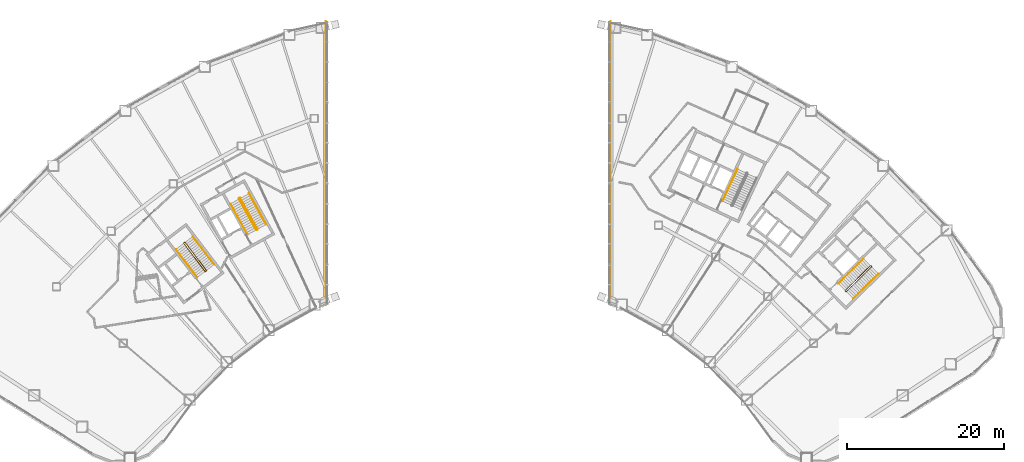
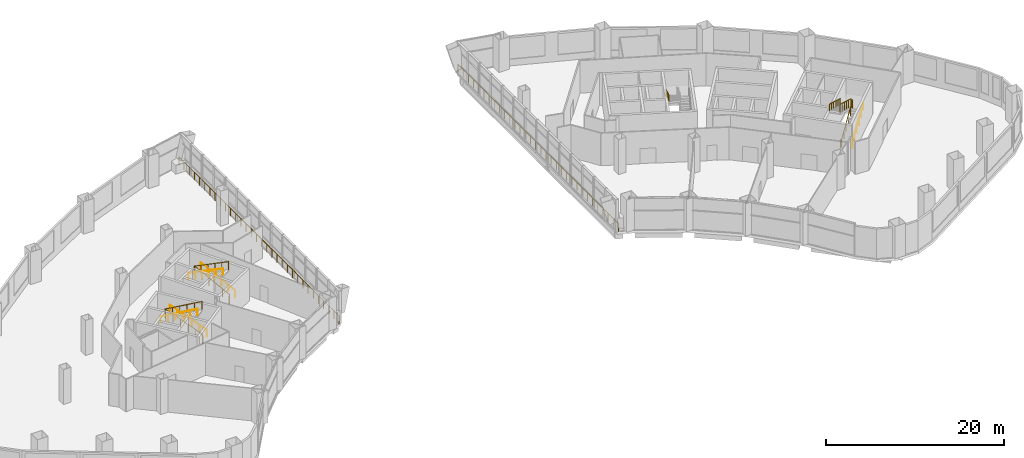
# One storey, part 25 of 26: 12 railings.
"""IFC4 building model written with IfcOpenShell, lengths in metres."""

from ifc_helpers import new_model, si_unit, direction, frame, origin, origin_2d, place, context, subcontext, project, spatial, circle, extrude, material, type_object, element, save


model = new_model("IFC4")

# Units and contexts
model_context = context("Model", 3, precision=1e-05, world=origin(), true_north=direction((0.0, 1.0)))
body_context = subcontext(model_context, "Body", "Model", "MODEL_VIEW")
ifc_project = project(units=[si_unit("LENGTHUNIT", "METRE"), si_unit("AREAUNIT", "SQUARE_METRE"), si_unit("VOLUMEUNIT", "CUBIC_METRE"), si_unit("PLANEANGLEUNIT", "RADIAN"), si_unit("MASSUNIT", "GRAM", prefix="KILO")], contexts=[model_context])

# Site, building, storey
site_placement = place(None, origin())
site = spatial("IfcSite", under=ifc_project, at=site_placement, CompositionType="ELEMENT")
building_placement = place(site_placement, origin())
building = spatial("IfcBuilding", under=site, at=building_placement, Name="Tuul Gate Civic Tower", CompositionType="ELEMENT")
storey_placement = place(building_placement, frame((0.0, 0.0, 7.5)))
storey = spatial("IfcBuildingStorey", under=building, at=storey_placement, Name="Level 01", CompositionType="ELEMENT", Elevation=7.5)

# Railings
ifc_material_1 = material(Name="Painted steel", Category="steel")
railing_type_1 = type_object("IfcRailingType", Name="Stair guard", PredefinedType="GUARDRAIL", material=ifc_material_1)
railing_1_placement = place(storey_placement, frame((-33.382080078125, -13.515380859375, 0.0)))
element("IfcRailing", 1, at=railing_1_placement, inside=storey, type_object=railing_type_1, Name="Level 01 ST-1 stair guard 1", PredefinedType="GUARDRAIL", context=body_context, shape_type="SweptSolid", body=[
    extrude(circle(Radius=0.02392578125, at=origin_2d()), frame((0.0, 0.0, 1.076171875), z_axis=(-0.795879841968, -0.605454603706, 0.0), x_axis=(0.605454603706, -0.795879841968, 0.0)), (0.0, 0.0, 1.0), 0.10009765625),
    extrude(circle(Radius=0.02392578125, at=origin_2d()), frame((-0.07958984375, -0.060546875, 1.076171875), z_axis=(0.408991890351, 0.599481263939, 0.688002796371), x_axis=(-0.826063974707, 0.563576356576, 0.0)), (0.0, 0.0, 1.0), 0.2177734375),
    extrude(circle(Radius=0.02392578125, at=origin_2d()), frame((0.009521484375, 0.070068359375, 1.22607421875), z_axis=(-0.541802573537, 0.711646640476, 0.44722369169), x_axis=(-0.795649622695, -0.605757111312, 0.0)), (0.0, 0.0, 1.0), 5.031005859375),
    extrude(circle(Radius=0.02392578125, at=origin_2d()), frame((-2.71630859375, 3.650390625, 3.47607421875), z_axis=(-0.990893089246, 0.134650977284, 0.0), x_axis=(-0.134650977284, -0.990893089246, 0.0)), (0.0, 0.0, 1.0), 0.07080078125),
    extrude(circle(Radius=0.02392578125, at=origin_2d()), frame((-2.786376953125, 3.659912109375, 3.47607421875), z_axis=(-0.795879841968, -0.605454603706, 0.0), x_axis=(0.605454603706, -0.795879841968, 0.0)), (0.0, 0.0, 1.0), 0.10009765625),
    extrude(circle(Radius=0.02392578125, at=origin_2d()), frame((-2.865966796875, 3.599365234375, 3.47607421875), z_axis=(-0.057370624079, -0.422188951554, 0.904690610473), x_axis=(0.990893089246, -0.134650977284, 0.0)), (0.0, 0.0, 1.0), 0.166015625),
    extrude(circle(Radius=0.02392578125, at=origin_2d()), frame((-2.87548828125, 3.529296875, 3.6259765625), z_axis=(0.541802573537, -0.711646640476, 0.44722369169), x_axis=(0.795649622695, 0.605757111312, 0.0)), (0.0, 0.0, 1.0), 5.031005859375),
    extrude(circle(Radius=0.02099609375, at=origin_2d()), origin(), (0.0, 0.0, 1.0), 1.052001953125),
    extrude(circle(Radius=0.02099609375, at=origin_2d()), frame((-0.07958984375, -0.060546875, 0.0)), (0.0, 0.0, 1.0), 1.052001953125),
    extrude(circle(Radius=0.02099609375, at=origin_2d()), frame((0.009521484375, 0.070068359375, 0.14990234375)), (0.0, 0.0, 1.0), 1.052001953125),
    extrude(circle(Radius=0.02099609375, at=origin_2d()), frame((-0.53564453125, 0.7861328125, 0.599853515625)), (0.0, 0.0, 1.0), 1.052001953125),
    extrude(circle(Radius=0.02099609375, at=origin_2d()), frame((-1.080810546875, 1.502197265625, 1.0498046875)), (0.0, 0.0, 1.0), 1.052001953125),
    extrude(circle(Radius=0.02099609375, at=origin_2d()), frame((-1.6259765625, 2.21826171875, 1.5)), (0.0, 0.0, 1.0), 1.052001953125),
    extrude(circle(Radius=0.02099609375, at=origin_2d()), frame((-2.171142578125, 2.934326171875, 1.949951171875)), (0.0, 0.0, 1.0), 1.052001953125),
    extrude(circle(Radius=0.02099609375, at=origin_2d()), frame((-2.71630859375, 3.650390625, 2.39990234375)), (0.0, 0.0, 1.0), 1.052001953125),
    extrude(circle(Radius=0.02099609375, at=origin_2d()), frame((-2.786376953125, 3.659912109375, 2.39990234375)), (0.0, 0.0, 1.0), 1.052001953125),
    extrude(circle(Radius=0.02099609375, at=origin_2d()), frame((-2.865966796875, 3.599365234375, 2.39990234375)), (0.0, 0.0, 1.0), 1.052001953125),
    extrude(circle(Radius=0.02099609375, at=origin_2d()), frame((-2.87548828125, 3.529296875, 2.550048828125)), (0.0, 0.0, 1.0), 1.052001953125),
    extrude(circle(Radius=0.02099609375, at=origin_2d()), frame((-2.330322265625, 2.813232421875, 3.0)), (0.0, 0.0, 1.0), 1.052001953125),
    extrude(circle(Radius=0.02099609375, at=origin_2d()), frame((-1.78515625, 2.09716796875, 3.449951171875)), (0.0, 0.0, 1.0), 1.052001953125),
    extrude(circle(Radius=0.02099609375, at=origin_2d()), frame((-1.239990234375, 1.381103515625, 3.900146484375)), (0.0, 0.0, 1.0), 1.052001953125),
    extrude(circle(Radius=0.02099609375, at=origin_2d()), frame((-0.69482421875, 0.6650390625, 4.35009765625)), (0.0, 0.0, 1.0), 1.052001953125),
    extrude(circle(Radius=0.02099609375, at=origin_2d()), frame((-0.149658203125, -0.051025390625, 4.800048828125)), (0.0, 0.0, 1.0), 1.052001953125),
])
railing_2_placement = place(storey_placement, frame((-26.857666015625, -8.247314453125, 0.0)))
element("IfcRailing", 2, at=railing_2_placement, inside=storey, type_object=railing_type_1, Name="Level 01 ST-2 stair guard 1", PredefinedType="GUARDRAIL", context=body_context, shape_type="SweptSolid", body=[
    extrude(circle(Radius=0.02392578125, at=origin_2d()), frame((0.0, 0.0, 1.076171875), z_axis=(-0.874616555828, -0.48481530532, 0.0), x_axis=(0.48481530532, -0.874616555828, 0.0)), (0.0, 0.0, 1.0), 0.10009765625),
    extrude(circle(Radius=0.02392578125, at=origin_2d()), frame((-0.087646484375, -0.048583984375, 1.076171875), z_axis=(0.49081399482, 0.534516610797, 0.688036056665), x_axis=(-0.736576986774, 0.676353711126, 0.0)), (0.0, 0.0, 1.0), 0.2177734375),
    extrude(circle(Radius=0.02392578125, at=origin_2d()), frame((0.019287109375, 0.06787109375, 1.22607421875), z_axis=(-0.433570456934, 0.782319295656, 0.447205968786), x_axis=(-0.874655833576, -0.484744440702, 0.0)), (0.0, 0.0, 1.0), 5.03125),
    extrude(circle(Radius=0.02392578125, at=origin_2d()), frame((-2.162109375, 4.00390625, 3.47607421875), z_axis=(-0.961914682459, 0.273349855807, 0.0), x_axis=(-0.273349855807, -0.961914682459, 0.0)), (0.0, 0.0, 1.0), 0.070556640625),
    extrude(circle(Radius=0.02392578125, at=origin_2d()), frame((-2.22998046875, 4.023193359375, 3.47607421875), z_axis=(-0.875078096442, -0.48398174049, 0.0), x_axis=(0.48398174049, -0.875078096442, 0.0)), (0.0, 0.0, 1.0), 0.099853515625),
    extrude(circle(Radius=0.02392578125, at=origin_2d()), frame((-2.3173828125, 3.974853515625, 3.47607421875), z_axis=(-0.11763866363, -0.41026483941, 0.904347226657), x_axis=(0.961263487578, -0.275631107549, 0.0)), (0.0, 0.0, 1.0), 0.166015625),
    extrude(circle(Radius=0.02392578125, at=origin_2d()), frame((-2.3369140625, 3.90673828125, 3.6259765625), z_axis=(0.433586916566, -0.782300468042, 0.447222946062), x_axis=(0.874643084613, 0.48476744377, 0.0)), (0.0, 0.0, 1.0), 5.031005859375),
    extrude(circle(Radius=0.02099609375, at=origin_2d()), origin(), (0.0, 0.0, 1.0), 1.052001953125),
    extrude(circle(Radius=0.02099609375, at=origin_2d()), frame((-0.087646484375, -0.048583984375, 0.0)), (0.0, 0.0, 1.0), 1.052001953125),
    extrude(circle(Radius=0.02099609375, at=origin_2d()), frame((0.019287109375, 0.06787109375, 0.14990234375)), (0.0, 0.0, 1.0), 1.052001953125),
    extrude(circle(Radius=0.02099609375, at=origin_2d()), frame((-0.4169921875, 0.85498046875, 0.599853515625)), (0.0, 0.0, 1.0), 1.052001953125),
    extrude(circle(Radius=0.02099609375, at=origin_2d()), frame((-0.853271484375, 1.642333984375, 1.0498046875)), (0.0, 0.0, 1.0), 1.052001953125),
    extrude(circle(Radius=0.02099609375, at=origin_2d()), frame((-1.28955078125, 2.429443359375, 1.5)), (0.0, 0.0, 1.0), 1.052001953125),
    extrude(circle(Radius=0.02099609375, at=origin_2d()), frame((-1.725830078125, 3.216796875, 1.949951171875)), (0.0, 0.0, 1.0), 1.052001953125),
    extrude(circle(Radius=0.02099609375, at=origin_2d()), frame((-2.162109375, 4.00390625, 2.39990234375)), (0.0, 0.0, 1.0), 1.052001953125),
    extrude(circle(Radius=0.02099609375, at=origin_2d()), frame((-2.22998046875, 4.023193359375, 2.39990234375)), (0.0, 0.0, 1.0), 1.052001953125),
    extrude(circle(Radius=0.02099609375, at=origin_2d()), frame((-2.3173828125, 3.974853515625, 2.39990234375)), (0.0, 0.0, 1.0), 1.052001953125),
    extrude(circle(Radius=0.02099609375, at=origin_2d()), frame((-2.3369140625, 3.90673828125, 2.550048828125)), (0.0, 0.0, 1.0), 1.052001953125),
    extrude(circle(Radius=0.02099609375, at=origin_2d()), frame((-1.900634765625, 3.11962890625, 3.0)), (0.0, 0.0, 1.0), 1.052001953125),
    extrude(circle(Radius=0.02099609375, at=origin_2d()), frame((-1.46435546875, 2.33251953125, 3.449951171875)), (0.0, 0.0, 1.0), 1.052001953125),
    extrude(circle(Radius=0.02099609375, at=origin_2d()), frame((-1.028076171875, 1.545166015625, 3.900146484375)), (0.0, 0.0, 1.0), 1.052001953125),
    extrude(circle(Radius=0.02099609375, at=origin_2d()), frame((-0.591796875, 0.758056640625, 4.35009765625)), (0.0, 0.0, 1.0), 1.052001953125),
    extrude(circle(Radius=0.02099609375, at=origin_2d()), frame((-0.155517578125, -0.029052734375, 4.800048828125)), (0.0, 0.0, 1.0), 1.052001953125),
])
railing_3_placement = place(storey_placement, frame((48.10546875, -16.134765625, 0.0)))
element("IfcRailing", 3, at=railing_3_placement, inside=storey, type_object=railing_type_1, Name="Level 01 ST-3 stair guard 1", PredefinedType="GUARDRAIL", context=body_context, shape_type="SweptSolid", body=[
    extrude(circle(Radius=0.02392578125, at=origin_2d()), frame((0.0, 0.0, 1.076171875), z_axis=(-0.698506948293, 0.715603272202, 0.0), x_axis=(-0.715603272202, -0.698506948293, 0.0)), (0.0, 0.0, 1.0), 0.099853515625),
    extrude(circle(Radius=0.02392578125, at=origin_2d()), frame((-0.06982421875, 0.071533203125, 1.076171875), z_axis=(0.645446321009, -0.331687692741, 0.688027849131), x_axis=(0.457068866502, 0.889431307788, 0.0)), (0.0, 0.0, 1.0), 0.2177734375),
    extrude(circle(Radius=0.02392578125, at=origin_2d()), frame((0.07080078125, -0.000732421875, 1.22607421875), z_axis=(0.638734809626, 0.626118304991, 0.447206564272), x_axis=(-0.700018794508, 0.714124420066, 0.0)), (0.0, 0.0, 1.0), 5.03125),
    extrude(circle(Radius=0.02392578125, at=origin_2d()), frame((3.284423828125, 3.1494140625, 3.47607421875), z_axis=(0.010344274102, 0.999946496565, 0.0), x_axis=(-0.999946496565, 0.010344274102, 0.0)), (0.0, 0.0, 1.0), 0.07080078125),
    extrude(circle(Radius=0.02392578125, at=origin_2d()), frame((3.28515625, 3.22021484375, 3.47607421875), z_axis=(-0.700974368541, 0.713186465554, 0.0), x_axis=(-0.713186465554, -0.700974368541, 0.0)), (0.0, 0.0, 1.0), 0.099853515625),
    extrude(circle(Radius=0.02392578125, at=origin_2d()), frame((3.215087890625, 3.29150390625, 3.47607421875), z_axis=(-0.426501027327, 0.004412079593, 0.904476316574), x_axis=(-0.010344274102, -0.999946496565, 0.0)), (0.0, 0.0, 1.0), 0.166015625),
    extrude(circle(Radius=0.02392578125, at=origin_2d()), frame((3.144287109375, 3.292236328125, 3.6259765625), z_axis=(-0.638734809626, -0.626118304991, 0.447206564272), x_axis=(0.700018794508, -0.714124420066, 0.0)), (0.0, 0.0, 1.0), 5.03125),
    extrude(circle(Radius=0.02099609375, at=origin_2d()), origin(), (0.0, 0.0, 1.0), 1.052001953125),
    extrude(circle(Radius=0.02099609375, at=origin_2d()), frame((-0.06982421875, 0.071533203125, 0.0)), (0.0, 0.0, 1.0), 1.052001953125),
    extrude(circle(Radius=0.02099609375, at=origin_2d()), frame((0.07080078125, -0.000732421875, 0.14990234375)), (0.0, 0.0, 1.0), 1.052001953125),
    extrude(circle(Radius=0.02099609375, at=origin_2d()), frame((0.713623046875, 0.62939453125, 0.599853515625)), (0.0, 0.0, 1.0), 1.052001953125),
    extrude(circle(Radius=0.02099609375, at=origin_2d()), frame((1.356201171875, 1.25927734375, 1.0498046875)), (0.0, 0.0, 1.0), 1.052001953125),
    extrude(circle(Radius=0.02099609375, at=origin_2d()), frame((1.9990234375, 1.889404296875, 1.5)), (0.0, 0.0, 1.0), 1.052001953125),
    extrude(circle(Radius=0.02099609375, at=origin_2d()), frame((2.6416015625, 2.519287109375, 1.949951171875)), (0.0, 0.0, 1.0), 1.052001953125),
    extrude(circle(Radius=0.02099609375, at=origin_2d()), frame((3.284423828125, 3.1494140625, 2.39990234375)), (0.0, 0.0, 1.0), 1.052001953125),
    extrude(circle(Radius=0.02099609375, at=origin_2d()), frame((3.28515625, 3.22021484375, 2.39990234375)), (0.0, 0.0, 1.0), 1.052001953125),
    extrude(circle(Radius=0.02099609375, at=origin_2d()), frame((3.215087890625, 3.29150390625, 2.39990234375)), (0.0, 0.0, 1.0), 1.052001953125),
    extrude(circle(Radius=0.02099609375, at=origin_2d()), frame((3.144287109375, 3.292236328125, 2.550048828125)), (0.0, 0.0, 1.0), 1.052001953125),
    extrude(circle(Radius=0.02099609375, at=origin_2d()), frame((2.50146484375, 2.662109375, 3.0)), (0.0, 0.0, 1.0), 1.052001953125),
    extrude(circle(Radius=0.02099609375, at=origin_2d()), frame((1.85888671875, 2.0322265625, 3.449951171875)), (0.0, 0.0, 1.0), 1.052001953125),
    extrude(circle(Radius=0.02099609375, at=origin_2d()), frame((1.216064453125, 1.402099609375, 3.900146484375)), (0.0, 0.0, 1.0), 1.052001953125),
    extrude(circle(Radius=0.02099609375, at=origin_2d()), frame((0.573486328125, 0.772216796875, 4.35009765625)), (0.0, 0.0, 1.0), 1.052001953125),
    extrude(circle(Radius=0.02099609375, at=origin_2d()), frame((-0.0693359375, 0.14208984375, 4.800048828125)), (0.0, 0.0, 1.0), 1.052001953125),
])
ifc_material_2 = material(Name="Painted steel", Category="steel")
railing_type_2 = type_object("IfcRailingType", Name="Stair handrail", PredefinedType="HANDRAIL", material=ifc_material_2)
railing_4_placement = place(storey_placement, frame((-32.3779296875, -12.688232421875, 0.14990234375)))
element("IfcRailing", 4, at=railing_4_placement, inside=storey, type_object=railing_type_2, Name="Level 01 ST-1 stair handrail 1", PredefinedType="HANDRAIL", context=body_context, shape_type="SweptSolid", body=[
    extrude(circle(Radius=0.02392578125, at=origin_2d()), frame((0.0, 0.0, 0.8759765625), z_axis=(-0.541818143522, 0.711651880073, 0.447196490301), x_axis=(-0.795643382243, -0.605765307931, 0.0)), (0.0, 0.0, 1.0), 5.03125),
    extrude(circle(Radius=0.02099609375, at=origin_2d()), origin(), (0.0, 0.0, 1.0), 0.851806640625),
    extrude(circle(Radius=0.02099609375, at=origin_2d()), frame((-0.545166015625, 0.716064453125, 0.449951171875)), (0.0, 0.0, 1.0), 0.851806640625),
    extrude(circle(Radius=0.02099609375, at=origin_2d()), frame((-1.09033203125, 1.43212890625, 0.89990234375)), (0.0, 0.0, 1.0), 0.851806640625),
    extrude(circle(Radius=0.02099609375, at=origin_2d()), frame((-1.6357421875, 2.1484375, 1.35009765625)), (0.0, 0.0, 1.0), 0.851806640625),
    extrude(circle(Radius=0.02099609375, at=origin_2d()), frame((-2.180908203125, 2.864501953125, 1.800048828125)), (0.0, 0.0, 1.0), 0.851806640625),
    extrude(circle(Radius=0.02099609375, at=origin_2d()), frame((-2.72607421875, 3.58056640625, 2.25)), (0.0, 0.0, 1.0), 0.851806640625),
])
railing_5_placement = place(storey_placement, frame((-37.252197265625, -10.743408203125, 2.550048828125)))
element("IfcRailing", 5, at=railing_5_placement, inside=storey, type_object=railing_type_2, Name="Level 01 ST-1 stair handrail 2", PredefinedType="HANDRAIL", context=body_context, shape_type="SweptSolid", body=[
    extrude(circle(Radius=0.02392578125, at=origin_2d()), frame((0.0, 0.0, 0.8759765625), z_axis=(0.541836853995, -0.711627929772, 0.447211933227), x_axis=(0.795623473507, 0.6057914562, 0.0)), (0.0, 0.0, 1.0), 5.03125),
    extrude(circle(Radius=0.02099609375, at=origin_2d()), origin(), (0.0, 0.0, 1.0), 0.851806640625),
    extrude(circle(Radius=0.02099609375, at=origin_2d()), frame((0.545166015625, -0.716064453125, 0.449951171875)), (0.0, 0.0, 1.0), 0.851806640625),
    extrude(circle(Radius=0.02099609375, at=origin_2d()), frame((1.09033203125, -1.43212890625, 0.89990234375)), (0.0, 0.0, 1.0), 0.851806640625),
    extrude(circle(Radius=0.02099609375, at=origin_2d()), frame((1.6357421875, -2.148193359375, 1.35009765625)), (0.0, 0.0, 1.0), 0.851806640625),
    extrude(circle(Radius=0.02099609375, at=origin_2d()), frame((2.180908203125, -2.8642578125, 1.800048828125)), (0.0, 0.0, 1.0), 0.851806640625),
    extrude(circle(Radius=0.02099609375, at=origin_2d()), frame((2.72607421875, -3.580322265625, 2.25)), (0.0, 0.0, 1.0), 0.851806640625),
])
railing_6_placement = place(storey_placement, frame((-25.744873046875, -7.573486328125, 0.14990234375)))
element("IfcRailing", 6, at=railing_6_placement, inside=storey, type_object=railing_type_2, Name="Level 01 ST-2 stair handrail 1", PredefinedType="HANDRAIL", context=body_context, shape_type="SweptSolid", body=[
    extrude(circle(Radius=0.02392578125, at=origin_2d()), frame((0.0, 0.0, 0.8759765625), z_axis=(-0.433570456934, 0.782319295656, 0.447205968786), x_axis=(-0.874655833576, -0.484744440702, 0.0)), (0.0, 0.0, 1.0), 5.03125),
    extrude(circle(Radius=0.02099609375, at=origin_2d()), origin(), (0.0, 0.0, 1.0), 0.851806640625),
    extrude(circle(Radius=0.02099609375, at=origin_2d()), frame((-0.436279296875, 0.787109375, 0.449951171875)), (0.0, 0.0, 1.0), 0.851806640625),
    extrude(circle(Radius=0.02099609375, at=origin_2d()), frame((-0.87255859375, 1.574462890625, 0.89990234375)), (0.0, 0.0, 1.0), 0.851806640625),
    extrude(circle(Radius=0.02099609375, at=origin_2d()), frame((-1.308837890625, 2.361572265625, 1.35009765625)), (0.0, 0.0, 1.0), 0.851806640625),
    extrude(circle(Radius=0.02099609375, at=origin_2d()), frame((-1.7451171875, 3.14892578125, 1.800048828125)), (0.0, 0.0, 1.0), 0.851806640625),
    extrude(circle(Radius=0.02099609375, at=origin_2d()), frame((-2.181396484375, 3.93603515625, 2.25)), (0.0, 0.0, 1.0), 0.851806640625),
])
railing_7_placement = place(storey_placement, frame((-30.287841796875, -4.946533203125, 2.550048828125)))
element("IfcRailing", 7, at=railing_7_placement, inside=storey, type_object=railing_type_2, Name="Level 01 ST-2 stair handrail 2", PredefinedType="HANDRAIL", context=body_context, shape_type="SweptSolid", body=[
    extrude(circle(Radius=0.02392578125, at=origin_2d()), frame((0.0, 0.0, 0.8759765625), z_axis=(0.433586916566, -0.782300468042, 0.447222946062), x_axis=(0.874643084613, 0.48476744377, 0.0)), (0.0, 0.0, 1.0), 5.031005859375),
    extrude(circle(Radius=0.02099609375, at=origin_2d()), origin(), (0.0, 0.0, 1.0), 0.851806640625),
    extrude(circle(Radius=0.02099609375, at=origin_2d()), frame((0.436279296875, -0.787109375, 0.449951171875)), (0.0, 0.0, 1.0), 0.851806640625),
    extrude(circle(Radius=0.02099609375, at=origin_2d()), frame((0.87255859375, -1.57421875, 0.89990234375)), (0.0, 0.0, 1.0), 0.851806640625),
    extrude(circle(Radius=0.02099609375, at=origin_2d()), frame((1.308837890625, -2.361572265625, 1.35009765625)), (0.0, 0.0, 1.0), 0.851806640625),
    extrude(circle(Radius=0.02099609375, at=origin_2d()), frame((1.7451171875, -3.148681640625, 1.800048828125)), (0.0, 0.0, 1.0), 0.851806640625),
    extrude(circle(Radius=0.02099609375, at=origin_2d()), frame((2.181396484375, -3.935791015625, 2.25)), (0.0, 0.0, 1.0), 0.851806640625),
])
railing_8_placement = place(storey_placement, frame((49.05126953125, -17.028076171875, 0.14990234375)))
element("IfcRailing", 8, at=railing_8_placement, inside=storey, type_object=railing_type_2, Name="Level 01 ST-3 stair handrail 1", PredefinedType="HANDRAIL", context=body_context, shape_type="SweptSolid", body=[
    extrude(circle(Radius=0.02392578125, at=origin_2d()), frame((0.0, 0.0, 0.8759765625), z_axis=(0.638734809626, 0.626118304991, 0.447206564272), x_axis=(-0.700018794508, 0.714124420066, 0.0)), (0.0, 0.0, 1.0), 5.03125),
    extrude(circle(Radius=0.02099609375, at=origin_2d()), origin(), (0.0, 0.0, 1.0), 0.851806640625),
    extrude(circle(Radius=0.02099609375, at=origin_2d()), frame((0.642822265625, 0.630126953125, 0.449951171875)), (0.0, 0.0, 1.0), 0.851806640625),
    extrude(circle(Radius=0.02099609375, at=origin_2d()), frame((1.285400390625, 1.260009765625, 0.89990234375)), (0.0, 0.0, 1.0), 0.851806640625),
    extrude(circle(Radius=0.02099609375, at=origin_2d()), frame((1.92822265625, 1.89013671875, 1.35009765625)), (0.0, 0.0, 1.0), 0.851806640625),
    extrude(circle(Radius=0.02099609375, at=origin_2d()), frame((2.57080078125, 2.52001953125, 1.800048828125)), (0.0, 0.0, 1.0), 0.851806640625),
    extrude(circle(Radius=0.02099609375, at=origin_2d()), frame((3.213623046875, 3.150146484375, 2.25)), (0.0, 0.0, 1.0), 0.851806640625),
])
railing_9_placement = place(storey_placement, frame((50.374755859375, -11.949951171875, 2.550048828125)))
element("IfcRailing", 9, at=railing_9_placement, inside=storey, type_object=railing_type_2, Name="Level 01 ST-3 stair handrail 2", PredefinedType="HANDRAIL", context=body_context, shape_type="SweptSolid", body=[
    extrude(circle(Radius=0.02392578125, at=origin_2d()), frame((0.0, 0.0, 0.8759765625), z_axis=(-0.638754216056, -0.626088801607, 0.447220151574), x_axis=(0.699991125633, -0.714151541366, 0.0)), (0.0, 0.0, 1.0), 5.031005859375),
    extrude(circle(Radius=0.02099609375, at=origin_2d()), origin(), (0.0, 0.0, 1.0), 0.851806640625),
    extrude(circle(Radius=0.02099609375, at=origin_2d()), frame((-0.642822265625, -0.6298828125, 0.449951171875)), (0.0, 0.0, 1.0), 0.851806640625),
    extrude(circle(Radius=0.02099609375, at=origin_2d()), frame((-1.285400390625, -1.260009765625, 0.89990234375)), (0.0, 0.0, 1.0), 0.851806640625),
    extrude(circle(Radius=0.02099609375, at=origin_2d()), frame((-1.92822265625, -1.889892578125, 1.35009765625)), (0.0, 0.0, 1.0), 0.851806640625),
    extrude(circle(Radius=0.02099609375, at=origin_2d()), frame((-2.57080078125, -2.52001953125, 1.800048828125)), (0.0, 0.0, 1.0), 0.851806640625),
    extrude(circle(Radius=0.02099609375, at=origin_2d()), frame((-3.213623046875, -3.14990234375, 2.25)), (0.0, 0.0, 1.0), 0.851806640625),
])
railing_10_placement = place(storey_placement, frame((34.299560546875, -0.523193359375, 2.550048828125)))
element("IfcRailing", 10, at=railing_10_placement, inside=storey, type_object=railing_type_2, Name="Level 01 ST-4 stair handrail 2", PredefinedType="HANDRAIL", context=body_context, shape_type="SweptSolid", body=[
    extrude(circle(Radius=0.02392578125, at=origin_2d()), frame((0.0, 0.0, 0.8759765625), z_axis=(-0.377973126322, -0.810635649661, 0.447220481728), x_axis=(0.906321697749, -0.42258842884, 0.0)), (0.0, 0.0, 1.0), 5.031005859375),
    extrude(circle(Radius=0.02099609375, at=origin_2d()), origin(), (0.0, 0.0, 1.0), 0.851806640625),
    extrude(circle(Radius=0.02099609375, at=origin_2d()), frame((-0.38037109375, -0.815673828125, 0.449951171875)), (0.0, 0.0, 1.0), 0.851806640625),
    extrude(circle(Radius=0.02099609375, at=origin_2d()), frame((-0.7607421875, -1.63134765625, 0.89990234375)), (0.0, 0.0, 1.0), 0.851806640625),
    extrude(circle(Radius=0.02099609375, at=origin_2d()), frame((-1.140869140625, -2.447021484375, 1.35009765625)), (0.0, 0.0, 1.0), 0.851806640625),
    extrude(circle(Radius=0.02099609375, at=origin_2d()), frame((-1.521240234375, -3.2626953125, 1.800048828125)), (0.0, 0.0, 1.0), 0.851806640625),
    extrude(circle(Radius=0.02099609375, at=origin_2d()), frame((-1.901611328125, -4.078369140625, 2.25)), (0.0, 0.0, 1.0), 0.851806640625),
])
ifc_material_3 = material(Name="Stainless steel", Category="steel")
railing_type_3 = type_object("IfcRailingType", Name="Terrace guard", PredefinedType="GUARDRAIL", material=ifc_material_3)
railing_11_placement = place(storey_placement, frame((-18.14990234375, -17.8359375, 0.0)))
element("IfcRailing", 11, at=railing_11_placement, inside=storey, type_object=railing_type_3, Name="Guard", PredefinedType="GUARDRAIL", context=body_context, shape_type="SweptSolid", body=[
    extrude(circle(Radius=0.02392578125, at=origin_2d()), frame((0.0, 0.0, 1.076171875), z_axis=(0.0, 1.0, 0.0), x_axis=(-1.0, 0.0, 0.0)), (0.0, 0.0, 1.0), 36.100830078125),
    extrude(circle(Radius=0.02099609375, at=origin_2d()), origin(), (0.0, 0.0, 1.0), 1.052001953125),
    extrude(circle(Radius=0.02099609375, at=origin_2d()), frame((0.0, 1.16455078125, 0.0)), (0.0, 0.0, 1.0), 1.052001953125),
    extrude(circle(Radius=0.02099609375, at=origin_2d()), frame((0.0, 2.3291015625, 0.0)), (0.0, 0.0, 1.0), 1.052001953125),
    extrude(circle(Radius=0.02099609375, at=origin_2d()), frame((0.0, 3.49365234375, 0.0)), (0.0, 0.0, 1.0), 1.052001953125),
    extrude(circle(Radius=0.02099609375, at=origin_2d()), frame((0.0, 4.658203125, 0.0)), (0.0, 0.0, 1.0), 1.052001953125),
    extrude(circle(Radius=0.02099609375, at=origin_2d()), frame((0.0, 5.82275390625, 0.0)), (0.0, 0.0, 1.0), 1.052001953125),
    extrude(circle(Radius=0.02099609375, at=origin_2d()), frame((0.0, 6.9873046875, 0.0)), (0.0, 0.0, 1.0), 1.052001953125),
    extrude(circle(Radius=0.02099609375, at=origin_2d()), frame((0.0, 8.15185546875, 0.0)), (0.0, 0.0, 1.0), 1.052001953125),
    extrude(circle(Radius=0.02099609375, at=origin_2d()), frame((0.0, 9.31640625, 0.0)), (0.0, 0.0, 1.0), 1.052001953125),
    extrude(circle(Radius=0.02099609375, at=origin_2d()), frame((0.0, 10.48095703125, 0.0)), (0.0, 0.0, 1.0), 1.052001953125),
    extrude(circle(Radius=0.02099609375, at=origin_2d()), frame((0.0, 11.6455078125, 0.0)), (0.0, 0.0, 1.0), 1.052001953125),
    extrude(circle(Radius=0.02099609375, at=origin_2d()), frame((0.0, 12.81005859375, 0.0)), (0.0, 0.0, 1.0), 1.052001953125),
    extrude(circle(Radius=0.02099609375, at=origin_2d()), frame((0.0, 13.974609375, 0.0)), (0.0, 0.0, 1.0), 1.052001953125),
    extrude(circle(Radius=0.02099609375, at=origin_2d()), frame((0.0, 15.13916015625, 0.0)), (0.0, 0.0, 1.0), 1.052001953125),
    extrude(circle(Radius=0.02099609375, at=origin_2d()), frame((0.0, 16.3037109375, 0.0)), (0.0, 0.0, 1.0), 1.052001953125),
    extrude(circle(Radius=0.02099609375, at=origin_2d()), frame((0.0, 17.46826171875, 0.0)), (0.0, 0.0, 1.0), 1.052001953125),
    extrude(circle(Radius=0.02099609375, at=origin_2d()), frame((0.0, 18.632568359375, 0.0)), (0.0, 0.0, 1.0), 1.052001953125),
    extrude(circle(Radius=0.02099609375, at=origin_2d()), frame((0.0, 19.797119140625, 0.0)), (0.0, 0.0, 1.0), 1.052001953125),
    extrude(circle(Radius=0.02099609375, at=origin_2d()), frame((0.0, 20.961669921875, 0.0)), (0.0, 0.0, 1.0), 1.052001953125),
    extrude(circle(Radius=0.02099609375, at=origin_2d()), frame((0.0, 22.126220703125, 0.0)), (0.0, 0.0, 1.0), 1.052001953125),
    extrude(circle(Radius=0.02099609375, at=origin_2d()), frame((0.0, 23.290771484375, 0.0)), (0.0, 0.0, 1.0), 1.052001953125),
    extrude(circle(Radius=0.02099609375, at=origin_2d()), frame((0.0, 24.455322265625, 0.0)), (0.0, 0.0, 1.0), 1.052001953125),
    extrude(circle(Radius=0.02099609375, at=origin_2d()), frame((0.0, 25.619873046875, 0.0)), (0.0, 0.0, 1.0), 1.052001953125),
    extrude(circle(Radius=0.02099609375, at=origin_2d()), frame((0.0, 26.784423828125, 0.0)), (0.0, 0.0, 1.0), 1.052001953125),
    extrude(circle(Radius=0.02099609375, at=origin_2d()), frame((0.0, 27.948974609375, 0.0)), (0.0, 0.0, 1.0), 1.052001953125),
    extrude(circle(Radius=0.02099609375, at=origin_2d()), frame((0.0, 29.113525390625, 0.0)), (0.0, 0.0, 1.0), 1.052001953125),
    extrude(circle(Radius=0.02099609375, at=origin_2d()), frame((0.0, 30.278076171875, 0.0)), (0.0, 0.0, 1.0), 1.052001953125),
    extrude(circle(Radius=0.02099609375, at=origin_2d()), frame((0.0, 31.442626953125, 0.0)), (0.0, 0.0, 1.0), 1.052001953125),
    extrude(circle(Radius=0.02099609375, at=origin_2d()), frame((0.0, 32.607177734375, 0.0)), (0.0, 0.0, 1.0), 1.052001953125),
    extrude(circle(Radius=0.02099609375, at=origin_2d()), frame((0.0, 33.771728515625, 0.0)), (0.0, 0.0, 1.0), 1.052001953125),
    extrude(circle(Radius=0.02099609375, at=origin_2d()), frame((0.0, 34.936279296875, 0.0)), (0.0, 0.0, 1.0), 1.052001953125),
    extrude(circle(Radius=0.02099609375, at=origin_2d()), frame((0.0, 36.100830078125, 0.0)), (0.0, 0.0, 1.0), 1.052001953125),
])
railing_12_placement = place(storey_placement, frame((18.14990234375, -17.8359375, 0.0)))
element("IfcRailing", 12, at=railing_12_placement, inside=storey, type_object=railing_type_3, Name="Guard", PredefinedType="GUARDRAIL", context=body_context, shape_type="SweptSolid", body=[
    extrude(circle(Radius=0.02392578125, at=origin_2d()), frame((0.0, 0.0, 1.076171875), z_axis=(0.0, 1.0, 0.0), x_axis=(-1.0, 0.0, 0.0)), (0.0, 0.0, 1.0), 36.100830078125),
    extrude(circle(Radius=0.02099609375, at=origin_2d()), origin(), (0.0, 0.0, 1.0), 1.052001953125),
    extrude(circle(Radius=0.02099609375, at=origin_2d()), frame((0.0, 1.16455078125, 0.0)), (0.0, 0.0, 1.0), 1.052001953125),
    extrude(circle(Radius=0.02099609375, at=origin_2d()), frame((0.0, 2.3291015625, 0.0)), (0.0, 0.0, 1.0), 1.052001953125),
    extrude(circle(Radius=0.02099609375, at=origin_2d()), frame((0.0, 3.49365234375, 0.0)), (0.0, 0.0, 1.0), 1.052001953125),
    extrude(circle(Radius=0.02099609375, at=origin_2d()), frame((0.0, 4.658203125, 0.0)), (0.0, 0.0, 1.0), 1.052001953125),
    extrude(circle(Radius=0.02099609375, at=origin_2d()), frame((0.0, 5.82275390625, 0.0)), (0.0, 0.0, 1.0), 1.052001953125),
    extrude(circle(Radius=0.02099609375, at=origin_2d()), frame((0.0, 6.9873046875, 0.0)), (0.0, 0.0, 1.0), 1.052001953125),
    extrude(circle(Radius=0.02099609375, at=origin_2d()), frame((0.0, 8.15185546875, 0.0)), (0.0, 0.0, 1.0), 1.052001953125),
    extrude(circle(Radius=0.02099609375, at=origin_2d()), frame((0.0, 9.31640625, 0.0)), (0.0, 0.0, 1.0), 1.052001953125),
    extrude(circle(Radius=0.02099609375, at=origin_2d()), frame((0.0, 10.48095703125, 0.0)), (0.0, 0.0, 1.0), 1.052001953125),
    extrude(circle(Radius=0.02099609375, at=origin_2d()), frame((0.0, 11.6455078125, 0.0)), (0.0, 0.0, 1.0), 1.052001953125),
    extrude(circle(Radius=0.02099609375, at=origin_2d()), frame((0.0, 12.81005859375, 0.0)), (0.0, 0.0, 1.0), 1.052001953125),
    extrude(circle(Radius=0.02099609375, at=origin_2d()), frame((0.0, 13.974609375, 0.0)), (0.0, 0.0, 1.0), 1.052001953125),
    extrude(circle(Radius=0.02099609375, at=origin_2d()), frame((0.0, 15.13916015625, 0.0)), (0.0, 0.0, 1.0), 1.052001953125),
    extrude(circle(Radius=0.02099609375, at=origin_2d()), frame((0.0, 16.3037109375, 0.0)), (0.0, 0.0, 1.0), 1.052001953125),
    extrude(circle(Radius=0.02099609375, at=origin_2d()), frame((0.0, 17.46826171875, 0.0)), (0.0, 0.0, 1.0), 1.052001953125),
    extrude(circle(Radius=0.02099609375, at=origin_2d()), frame((0.0, 18.632568359375, 0.0)), (0.0, 0.0, 1.0), 1.052001953125),
    extrude(circle(Radius=0.02099609375, at=origin_2d()), frame((0.0, 19.797119140625, 0.0)), (0.0, 0.0, 1.0), 1.052001953125),
    extrude(circle(Radius=0.02099609375, at=origin_2d()), frame((0.0, 20.961669921875, 0.0)), (0.0, 0.0, 1.0), 1.052001953125),
    extrude(circle(Radius=0.02099609375, at=origin_2d()), frame((0.0, 22.126220703125, 0.0)), (0.0, 0.0, 1.0), 1.052001953125),
    extrude(circle(Radius=0.02099609375, at=origin_2d()), frame((0.0, 23.290771484375, 0.0)), (0.0, 0.0, 1.0), 1.052001953125),
    extrude(circle(Radius=0.02099609375, at=origin_2d()), frame((0.0, 24.455322265625, 0.0)), (0.0, 0.0, 1.0), 1.052001953125),
    extrude(circle(Radius=0.02099609375, at=origin_2d()), frame((0.0, 25.619873046875, 0.0)), (0.0, 0.0, 1.0), 1.052001953125),
    extrude(circle(Radius=0.02099609375, at=origin_2d()), frame((0.0, 26.784423828125, 0.0)), (0.0, 0.0, 1.0), 1.052001953125),
    extrude(circle(Radius=0.02099609375, at=origin_2d()), frame((0.0, 27.948974609375, 0.0)), (0.0, 0.0, 1.0), 1.052001953125),
    extrude(circle(Radius=0.02099609375, at=origin_2d()), frame((0.0, 29.113525390625, 0.0)), (0.0, 0.0, 1.0), 1.052001953125),
    extrude(circle(Radius=0.02099609375, at=origin_2d()), frame((0.0, 30.278076171875, 0.0)), (0.0, 0.0, 1.0), 1.052001953125),
    extrude(circle(Radius=0.02099609375, at=origin_2d()), frame((0.0, 31.442626953125, 0.0)), (0.0, 0.0, 1.0), 1.052001953125),
    extrude(circle(Radius=0.02099609375, at=origin_2d()), frame((0.0, 32.607177734375, 0.0)), (0.0, 0.0, 1.0), 1.052001953125),
    extrude(circle(Radius=0.02099609375, at=origin_2d()), frame((0.0, 33.771728515625, 0.0)), (0.0, 0.0, 1.0), 1.052001953125),
    extrude(circle(Radius=0.02099609375, at=origin_2d()), frame((0.0, 34.936279296875, 0.0)), (0.0, 0.0, 1.0), 1.052001953125),
    extrude(circle(Radius=0.02099609375, at=origin_2d()), frame((0.0, 36.100830078125, 0.0)), (0.0, 0.0, 1.0), 1.052001953125),
])

save(model, "model.ifc")
